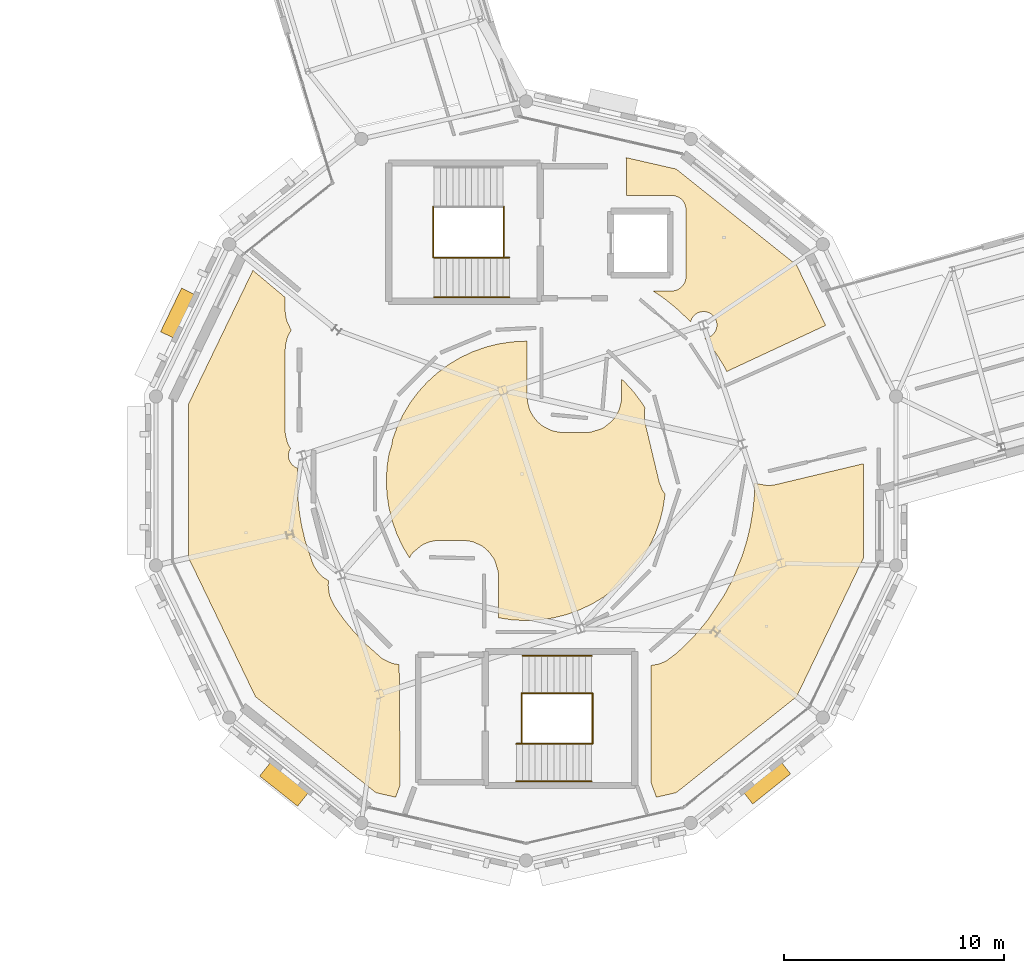
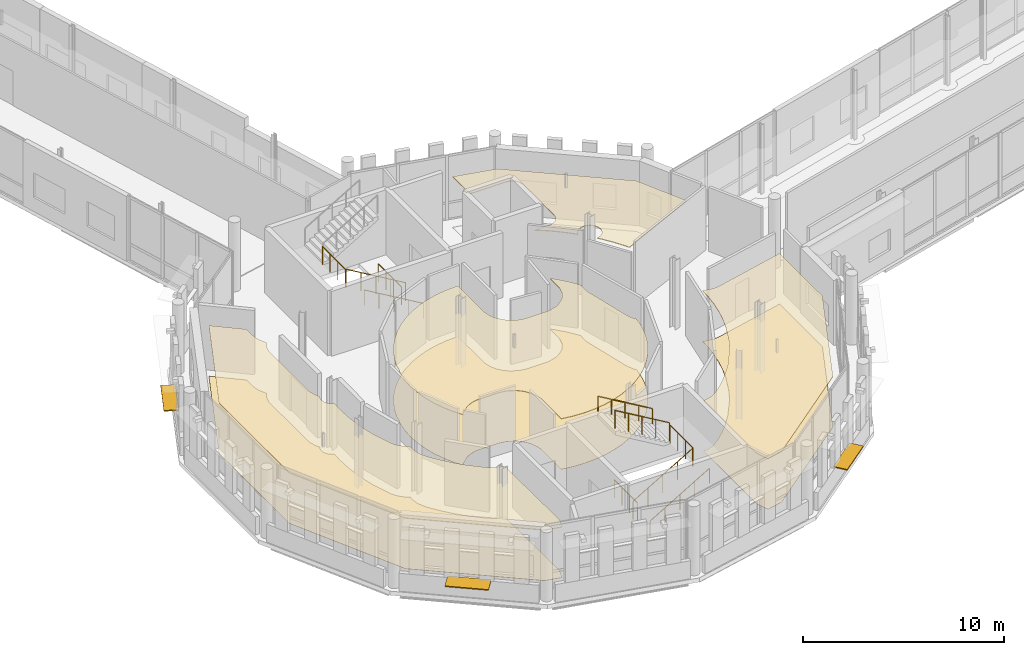
# One storey, part 118 of 125: 10 railings, 7 coverings, 3 shading devices.
"""IFC4 building model written with IfcOpenShell, lengths in metres."""

from ifc_helpers import new_model, si_unit, direction, frame, origin, origin_2d, place, context, subcontext, project, spatial, polyline, rectangle, circle, outline, extrude, material, layer, layer_set, type_object, element, save


model = new_model("IFC4")

# Units and contexts
model_context = context("Model", 3, precision=1e-05, world=origin(), true_north=direction((0.0, 1.0)))
body_context = subcontext(model_context, "Body", "Model", "MODEL_VIEW")
ifc_project = project(units=[si_unit("LENGTHUNIT", "METRE"), si_unit("AREAUNIT", "SQUARE_METRE"), si_unit("VOLUMEUNIT", "CUBIC_METRE"), si_unit("PLANEANGLEUNIT", "RADIAN"), si_unit("MASSUNIT", "GRAM", prefix="KILO")], contexts=[model_context])

# Site, building, storey
site_placement = place(None, origin())
site = spatial("IfcSite", under=ifc_project, at=site_placement, CompositionType="ELEMENT")
building_placement = place(site_placement, origin())
building = spatial("IfcBuilding", under=site, at=building_placement, Name="Wrenclough Park School", CompositionType="ELEMENT")
storey_placement = place(building_placement, frame((0.0, 0.0, 4.199951171875)))
storey = spatial("IfcBuildingStorey", under=building, at=storey_placement, Name="L01", CompositionType="ELEMENT", Elevation=4.199951171875)

# Shading devices
ifc_material_1 = material(Name="Anodised extruded aluminium solar louvre", Category="aluminium")
ifc_layer_1 = layer(ifc_material_1, 0.06005859375)
ifc_layer_set_1 = layer_set([ifc_layer_1], Name="Anodised extruded aluminium solar louvre")
shading_device_type_1 = type_object("IfcShadingDeviceType", Name="ENV-SL-01", PredefinedType="JALOUSIE", material=ifc_layer_set_1)
for number, where, z_axis, x_axis, name in (
    (1, (20.70703125, 31.10498046875, 1.030029296875), (0.0, 0.0, 1.0), (-0.433870232106, -0.900975372412, 0.0), "D2 L01 sun-side aluminium solar louvre 018"),
    (2, (47.428955078125, 9.79541015625, 1.030029296875), (0.0, 0.0, 1.0), (0.781832700782, 0.623488274139, 0.0), "D2 L01 sun-side aluminium solar louvre 020"),
):
    element("IfcShadingDevice", number, at=place(storey_placement, frame(where, z_axis=z_axis, x_axis=x_axis)), inside=storey, type_object=shading_device_type_1, Name=name, PredefinedType="JALOUSIE", context=body_context, shape_type="SweptSolid", body=[
        extrude(rectangle(XDim=2.199951171875, YDim=0.75, at=origin_2d()), origin(), (0.0, 0.0, 1.0), 0.06005859375),
    ])
ifc_layer_2 = layer(ifc_material_1, 0.06005859375)
ifc_layer_set_2 = layer_set([ifc_layer_2], Name="Anodised extruded aluminium solar louvre")
shading_device_type_2 = type_object("IfcShadingDeviceType", Name="ENV-SL-02", PredefinedType="JALOUSIE", material=ifc_layer_set_2)
shading_device_placement = place(storey_placement, frame((25.5302734375, 9.744873046875, 1.030029296875), z_axis=(0.0, 0.0, 1.0), x_axis=(0.781827272043, -0.623495081528, 0.0)))
element("IfcShadingDevice", 3, at=shading_device_placement, inside=storey, type_object=shading_device_type_2, Name="D2 L01 sun-side aluminium solar louvre 019", PredefinedType="JALOUSIE", context=body_context, shape_type="SweptSolid", body=[
    extrude(rectangle(XDim=2.199951171875, YDim=0.8798828125, at=origin_2d()), origin(), (0.0, 0.0, 1.0), 0.06005859375),
])

# Coverings
ifc_material_2 = material(Name="Class A mineral-fibre acoustic ceiling raft", Category="gypsum")
ifc_layer_3 = layer(ifc_material_2, 0.044921875)
ifc_layer_set_3 = layer_set([ifc_layer_3], Name="Class A mineral-fibre acoustic ceiling raft")
covering_type_1 = type_object("IfcCoveringType", Name="INT-COV-CEIL", PredefinedType="CEILING", material=ifc_layer_set_3)
covering_1_placement = place(storey_placement, frame((0.0, 0.0, 3.054931640625)))
element("IfcCovering", 4, at=covering_1_placement, inside=storey, type_object=covering_type_1, Name="Music Studio 2 acoustic ceiling raft", PredefinedType="CEILING", context=body_context, shape_type="SweptSolid", body=[
    extrude(outline(polyline([(25.550048828125, 31.839599609375), (24.087890625, 33.066650390625), (21.166259765625, 27.0), (21.166259765625, 20.000244140625), (24.203369140625, 13.693603515625), (29.67578125, 9.329345703125), (30.575927734375, 9.1240234375), (30.782470703125, 9.69189453125), (30.735595703125, 15.14892578125), (30.501220703125, 15.188720703125), (30.393310546875, 15.217041015625), (30.021484375, 15.38818359375), (29.91748046875, 15.46337890625), (29.155517578125, 16.1396484375), (28.648193359375, 16.681884765625), (28.2421875, 17.18017578125), (27.846435546875, 17.73388671875), (27.7939453125, 17.8212890625), (27.61572265625, 18.179931640625), (27.56640625, 18.314697265625), (27.51513671875, 18.677978515625), (27.509765625, 18.757080078125), (27.527099609375, 18.96435546875), (27.29443359375, 19.110107421875), (27.2119140625, 19.1826171875), (27.0625, 19.337890625), (26.978759765625, 19.44580078125), (26.8369140625, 19.6826171875), (26.80908203125, 19.752685546875), (26.459716796875, 20.797119140625), (26.299560546875, 21.479248046875), (26.189208984375, 22.150634765625), (26.122802734375, 22.827880859375), (26.101318359375, 23.508056640625), (26.1201171875, 24.078125), (26.022216796875, 24.119384765625), (25.97119140625, 24.14990234375), (25.87939453125, 24.225341796875), (25.803955078125, 24.317138671875), (25.747802734375, 24.422119140625), (25.71337890625, 24.53564453125), (25.70166015625, 24.654052734375), (25.70458984375, 24.71337890625), (25.727783203125, 24.830078125), (25.747802734375, 24.885986328125), (25.79541015625, 24.976806640625), (25.710205078125, 25.124755859375), (25.659912109375, 25.234130859375), (25.57470703125, 25.564453125), (25.560302734375, 25.642578125), (25.555419921875, 25.721923828125), (25.55810546875, 29.60400390625), (25.576416015625, 29.7119140625), (25.66748046875, 30.052490234375), (25.720703125, 30.164794921875), (25.8330078125, 30.351806640625), (25.78564453125, 30.4326171875), (25.659423828125, 30.6943359375), (25.615478515625, 30.814208984375), (25.6025390625, 30.876708984375), (25.552001953125, 31.21337890625), (25.550048828125, 31.839599609375)])), origin(), (0.0, 0.0, 1.0), 0.045166015625),
])
covering_2_placement = place(storey_placement, frame((0.0, 0.0, 3.054931640625)))
element("IfcCovering", 5, at=covering_2_placement, inside=storey, type_object=covering_type_1, Name="Media Production Classroom acoustic ceiling raft", PredefinedType="CEILING", context=body_context, shape_type="SweptSolid", body=[
    extrude(outline(polyline([(42.169921875, 15.11376953125), (42.169921875, 9.822265625), (42.424072265625, 9.1240234375), (43.32421875, 9.329345703125), (48.796630859375, 13.693603515625), (51.833740234375, 20.0), (51.833740234375, 24.2802734375), (47.803955078125, 23.320556640625), (47.600341796875, 23.294189453125), (47.469482421875, 23.29052734375), (47.016845703125, 23.36669921875), (46.889404296875, 23.403564453125), (46.877197265625, 22.827880859375), (46.810791015625, 22.150634765625), (46.700439453125, 21.479248046875), (46.5458984375, 20.814453125), (46.32177734375, 20.0869140625), (45.8564453125, 18.9638671875), (45.499755859375, 18.290771484375), (44.75341796875, 17.17431640625), (44.281494140625, 16.60205078125), (43.817138671875, 16.111328125), (43.350341796875, 15.676513671875), (42.86767578125, 15.315673828125), (42.763671875, 15.263916015625), (42.511474609375, 15.16943359375), (42.169921875, 15.11376953125)])), origin(), (0.0, 0.0, 1.0), 0.045166015625),
])
covering_3_placement = place(storey_placement, frame((0.0, 0.0, 3.054931640625)))
element("IfcCovering", 6, at=covering_3_placement, inside=storey, type_object=covering_type_1, Name="Performing Arts Staff Office acoustic ceiling raft", PredefinedType="CEILING", context=body_context, shape_type="SweptSolid", body=[
    extrude(outline(polyline([(43.1201171875, 32.1298828125), (42.274169921875, 32.1298828125), (42.819580078125, 31.758056640625), (43.314208984375, 31.35498046875), (43.81689453125, 30.888916015625), (43.977783203125, 30.72021484375), (44.0087890625, 30.820068359375), (44.0341796875, 30.873779296875), (44.100341796875, 30.97265625), (44.140380859375, 31.0166015625), (44.184326171875, 31.056640625), (44.283203125, 31.122802734375), (44.3369140625, 31.148193359375), (44.45068359375, 31.1826171875), (44.569091796875, 31.1943359375), (44.62841796875, 31.19140625), (44.687255859375, 31.1826171875), (44.801025390625, 31.148193359375), (44.90576171875, 31.092041015625), (44.95361328125, 31.056640625), (45.03759765625, 30.97265625), (45.072998046875, 30.9248046875), (45.129150390625, 30.820068359375), (45.163818359375, 30.706298828125), (45.17236328125, 30.6474609375), (45.17236328125, 30.528564453125), (45.163818359375, 30.4697265625), (45.129150390625, 30.35595703125), (45.103759765625, 30.30224609375), (45.03759765625, 30.203369140625), (44.997802734375, 30.1591796875), (44.90576171875, 30.083984375), (44.854736328125, 30.05322265625), (44.7451171875, 30.0078125), (44.623291015625, 29.984375), (44.780517578125, 29.790283203125), (45.17431640625, 29.235107421875), (45.509765625, 28.6923828125), (45.6259765625, 28.472900390625), (50.1162109375, 30.56640625), (48.796630859375, 33.306396484375), (43.32421875, 37.670654296875), (41.046630859375, 38.1904296875), (41.06689453125, 38.083740234375), (41.070068359375, 38.02001953125), (41.070068359375, 36.469970703125), (43.1201171875, 36.469970703125), (43.246826171875, 36.45751953125), (43.30859375, 36.44189453125), (43.426513671875, 36.393310546875), (43.532470703125, 36.322509765625), (43.57958984375, 36.279541015625), (43.62255859375, 36.232421875), (43.693115234375, 36.12646484375), (43.741943359375, 36.0087890625), (43.766845703125, 35.8837890625), (43.77001953125, 35.820068359375), (43.77001953125, 32.780029296875), (43.757568359375, 32.6533203125), (43.720458984375, 32.53125), (43.693115234375, 32.4736328125), (43.62255859375, 32.36767578125), (43.532470703125, 32.277587890625), (43.426513671875, 32.206787109375), (43.36865234375, 32.179443359375), (43.246826171875, 32.142578125), (43.1201171875, 32.1298828125)])), origin(), (0.0, 0.0, 1.0), 0.045166015625),
])
covering_4_placement = place(storey_placement, frame((0.0, 0.0, 3.054931640625)))
element("IfcCovering", 7, at=covering_4_placement, inside=storey, type_object=covering_type_1, Name="Acoustic Recording Classroom acoustic ceiling raft", PredefinedType="CEILING", context=body_context, shape_type="SweptSolid", body=[
    extrude(outline(polyline([(30.900390625, 20.507080078125), (31.202880859375, 20.002197265625), (31.291015625, 20.15771484375), (31.37060546875, 20.254150390625), (31.755859375, 20.570068359375), (31.868408203125, 20.630126953125), (32.123291015625, 20.73193359375), (32.437744140625, 20.792724609375), (33.614990234375, 20.7998046875), (33.71728515625, 20.7919921875), (34.00439453125, 20.747314453125), (34.1279296875, 20.71533203125), (34.448486328125, 20.564208984375), (34.517822265625, 20.525390625), (34.58203125, 20.478271484375), (34.78759765625, 20.30126953125), (34.837158203125, 20.241943359375), (35.04150390625, 19.95947265625), (35.07470703125, 19.89453125), (35.10009765625, 19.826416015625), (35.231201171875, 19.394287109375), (35.244384765625, 19.264892578125), (35.24609375, 17.276611328125), (35.877685546875, 17.181396484375), (36.5, 17.15087890625), (37.122314453125, 17.181396484375), (37.738525390625, 17.272705078125), (38.343017578125, 17.42431640625), (38.9296875, 17.634033203125), (39.492919921875, 17.900390625), (40.027587890625, 18.220703125), (40.52783203125, 18.591796875), (40.989501953125, 19.010498046875), (41.408203125, 19.47216796875), (41.779296875, 19.972412109375), (42.099609375, 20.507080078125), (42.365966796875, 21.0703125), (42.57568359375, 21.656982421875), (42.727294921875, 22.261474609375), (42.820068359375, 22.90771484375), (42.732421875, 23.019287109375), (42.698486328125, 23.07666015625), (42.551025390625, 23.440185546875), (41.896240234375, 26.198486328125), (41.88330078125, 26.27099609375), (41.87890625, 26.3447265625), (41.87744140625, 26.6240234375), (41.888916015625, 26.748779296875), (41.905517578125, 26.816650390625), (41.779296875, 27.027587890625), (41.408203125, 27.52783203125), (40.989501953125, 27.989501953125), (40.847412109375, 28.118408203125), (40.845703125, 27.2490234375), (40.8408203125, 27.170166015625), (40.826416015625, 27.09228515625), (40.733154296875, 26.73388671875), (40.6767578125, 26.615966796875), (40.483154296875, 26.306884765625), (40.43408203125, 26.2509765625), (40.379150390625, 26.200927734375), (40.07861328125, 25.9580078125), (40.027099609375, 25.92041015625), (39.914306640625, 25.861328125), (39.48388671875, 25.730712890625), (39.36181640625, 25.707275390625), (38.100341796875, 25.7041015625), (37.973388671875, 25.716796875), (37.717041015625, 25.77001953125), (37.61767578125, 25.807373046875), (37.29833984375, 25.9638671875), (37.23388671875, 26.010498046875), (37.023681640625, 26.1875), (36.81982421875, 26.439208984375), (36.697265625, 26.665771484375), (36.665283203125, 26.736328125), (36.64208984375, 26.810302734375), (36.5751953125, 27.077880859375), (36.560791015625, 27.155517578125), (36.5556640625, 27.234619140625), (36.551025390625, 29.846435546875), (36.499267578125, 29.84912109375), (35.877685546875, 29.818603515625), (35.261474609375, 29.727294921875), (34.656982421875, 29.57568359375), (34.0703125, 29.365966796875), (33.507080078125, 29.099609375), (32.972412109375, 28.779296875), (32.47216796875, 28.408203125), (32.010498046875, 27.989501953125), (31.591796875, 27.52783203125), (31.220703125, 27.027587890625), (30.900390625, 26.492919921875), (30.634033203125, 25.9296875), (30.435546875, 25.374755859375), (30.3955078125, 25.11376953125), (30.26953125, 24.716796875), (30.181396484375, 24.122314453125), (30.15087890625, 23.5), (30.181396484375, 22.877685546875), (30.272705078125, 22.261474609375), (30.42431640625, 21.656982421875), (30.634033203125, 21.0703125), (30.900390625, 20.507080078125)])), origin(), (0.0, 0.0, 1.0), 0.045166015625),
])
ifc_material_3 = material(Name="Acoustic natural linoleum school flooring", Category="wood")
ifc_layer_4 = layer(ifc_material_3, 0.014892578125)
ifc_layer_set_4 = layer_set([ifc_layer_4], Name="Acoustic natural linoleum school flooring")
covering_type_2 = type_object("IfcCoveringType", Name="INT-COV-FLOOR1", PredefinedType="FLOORING", material=ifc_layer_set_4)
covering_5_placement = place(storey_placement, origin())
element("IfcCovering", 8, at=covering_5_placement, inside=storey, type_object=covering_type_2, Name="Music Studio 2 floor finish", PredefinedType="FLOORING", context=body_context, shape_type="SweptSolid", body=[
    extrude(outline(polyline([(25.550048828125, 31.839599609375), (24.087890625, 33.066650390625), (21.166259765625, 27.0), (21.166259765625, 20.000244140625), (24.203369140625, 13.693603515625), (29.67578125, 9.329345703125), (30.575927734375, 9.1240234375), (30.782470703125, 9.69189453125), (30.735595703125, 15.14892578125), (30.501220703125, 15.188720703125), (30.393310546875, 15.217041015625), (30.021484375, 15.38818359375), (29.91748046875, 15.46337890625), (29.155517578125, 16.1396484375), (28.648193359375, 16.681884765625), (28.2421875, 17.18017578125), (27.846435546875, 17.73388671875), (27.7939453125, 17.8212890625), (27.61572265625, 18.179931640625), (27.56640625, 18.314697265625), (27.51513671875, 18.677978515625), (27.509765625, 18.757080078125), (27.527099609375, 18.96435546875), (27.29443359375, 19.110107421875), (27.2119140625, 19.1826171875), (27.0625, 19.337890625), (26.978759765625, 19.44580078125), (26.8369140625, 19.6826171875), (26.80908203125, 19.752685546875), (26.459716796875, 20.797119140625), (26.299560546875, 21.479248046875), (26.189208984375, 22.150634765625), (26.122802734375, 22.827880859375), (26.101318359375, 23.508056640625), (26.1201171875, 24.078125), (26.022216796875, 24.119384765625), (25.97119140625, 24.14990234375), (25.87939453125, 24.225341796875), (25.803955078125, 24.317138671875), (25.747802734375, 24.422119140625), (25.71337890625, 24.53564453125), (25.70166015625, 24.654052734375), (25.70458984375, 24.71337890625), (25.727783203125, 24.830078125), (25.747802734375, 24.885986328125), (25.79541015625, 24.976806640625), (25.710205078125, 25.124755859375), (25.659912109375, 25.234130859375), (25.57470703125, 25.564453125), (25.560302734375, 25.642578125), (25.555419921875, 25.721923828125), (25.55810546875, 29.60400390625), (25.576416015625, 29.7119140625), (25.66748046875, 30.052490234375), (25.720703125, 30.164794921875), (25.8330078125, 30.351806640625), (25.78564453125, 30.4326171875), (25.659423828125, 30.6943359375), (25.615478515625, 30.814208984375), (25.6025390625, 30.876708984375), (25.552001953125, 31.21337890625), (25.550048828125, 31.839599609375)])), origin(), (0.0, 0.0, 1.0), 0.01513671875),
])
covering_6_placement = place(storey_placement, origin())
element("IfcCovering", 9, at=covering_6_placement, inside=storey, type_object=covering_type_2, Name="Media Production Classroom floor finish", PredefinedType="FLOORING", context=body_context, shape_type="SweptSolid", body=[
    extrude(outline(polyline([(42.169921875, 15.11376953125), (42.169921875, 9.822265625), (42.424072265625, 9.1240234375), (43.32421875, 9.329345703125), (48.796630859375, 13.693603515625), (51.833740234375, 20.0), (51.833740234375, 24.2802734375), (47.803955078125, 23.320556640625), (47.600341796875, 23.294189453125), (47.469482421875, 23.29052734375), (47.016845703125, 23.36669921875), (46.889404296875, 23.403564453125), (46.877197265625, 22.827880859375), (46.810791015625, 22.150634765625), (46.700439453125, 21.479248046875), (46.5458984375, 20.814453125), (46.32177734375, 20.0869140625), (45.8564453125, 18.9638671875), (45.499755859375, 18.290771484375), (44.75341796875, 17.17431640625), (44.281494140625, 16.60205078125), (43.817138671875, 16.111328125), (43.350341796875, 15.676513671875), (42.86767578125, 15.315673828125), (42.763671875, 15.263916015625), (42.511474609375, 15.16943359375), (42.169921875, 15.11376953125)])), origin(), (0.0, 0.0, 1.0), 0.01513671875),
])
covering_7_placement = place(storey_placement, origin())
element("IfcCovering", 10, at=covering_7_placement, inside=storey, type_object=covering_type_2, Name="Acoustic Recording Classroom floor finish", PredefinedType="FLOORING", context=body_context, shape_type="SweptSolid", body=[
    extrude(outline(polyline([(30.900390625, 20.507080078125), (31.202880859375, 20.002197265625), (31.291015625, 20.15771484375), (31.37060546875, 20.254150390625), (31.755859375, 20.570068359375), (31.868408203125, 20.630126953125), (32.123291015625, 20.73193359375), (32.437744140625, 20.792724609375), (33.614990234375, 20.7998046875), (33.71728515625, 20.7919921875), (34.00439453125, 20.747314453125), (34.1279296875, 20.71533203125), (34.448486328125, 20.564208984375), (34.517822265625, 20.525390625), (34.58203125, 20.478271484375), (34.78759765625, 20.30126953125), (34.837158203125, 20.241943359375), (35.04150390625, 19.95947265625), (35.07470703125, 19.89453125), (35.10009765625, 19.826416015625), (35.231201171875, 19.394287109375), (35.244384765625, 19.264892578125), (35.24609375, 17.276611328125), (35.877685546875, 17.181396484375), (36.5, 17.15087890625), (37.122314453125, 17.181396484375), (37.738525390625, 17.272705078125), (38.343017578125, 17.42431640625), (38.9296875, 17.634033203125), (39.492919921875, 17.900390625), (40.027587890625, 18.220703125), (40.52783203125, 18.591796875), (40.989501953125, 19.010498046875), (41.408203125, 19.47216796875), (41.779296875, 19.972412109375), (42.099609375, 20.507080078125), (42.365966796875, 21.0703125), (42.57568359375, 21.656982421875), (42.727294921875, 22.261474609375), (42.820068359375, 22.90771484375), (42.732421875, 23.019287109375), (42.698486328125, 23.07666015625), (42.551025390625, 23.440185546875), (41.896240234375, 26.198486328125), (41.88330078125, 26.27099609375), (41.87890625, 26.3447265625), (41.87744140625, 26.6240234375), (41.888916015625, 26.748779296875), (41.905517578125, 26.816650390625), (41.779296875, 27.027587890625), (41.408203125, 27.52783203125), (40.989501953125, 27.989501953125), (40.847412109375, 28.118408203125), (40.845703125, 27.2490234375), (40.8408203125, 27.170166015625), (40.826416015625, 27.09228515625), (40.733154296875, 26.73388671875), (40.6767578125, 26.615966796875), (40.483154296875, 26.306884765625), (40.43408203125, 26.2509765625), (40.379150390625, 26.200927734375), (40.07861328125, 25.9580078125), (40.027099609375, 25.92041015625), (39.914306640625, 25.861328125), (39.48388671875, 25.730712890625), (39.36181640625, 25.707275390625), (38.100341796875, 25.7041015625), (37.973388671875, 25.716796875), (37.717041015625, 25.77001953125), (37.61767578125, 25.807373046875), (37.29833984375, 25.9638671875), (37.23388671875, 26.010498046875), (37.023681640625, 26.1875), (36.81982421875, 26.439208984375), (36.697265625, 26.665771484375), (36.665283203125, 26.736328125), (36.64208984375, 26.810302734375), (36.5751953125, 27.077880859375), (36.560791015625, 27.155517578125), (36.5556640625, 27.234619140625), (36.551025390625, 29.846435546875), (36.499267578125, 29.84912109375), (35.877685546875, 29.818603515625), (35.261474609375, 29.727294921875), (34.656982421875, 29.57568359375), (34.0703125, 29.365966796875), (33.507080078125, 29.099609375), (32.972412109375, 28.779296875), (32.47216796875, 28.408203125), (32.010498046875, 27.989501953125), (31.591796875, 27.52783203125), (31.220703125, 27.027587890625), (30.900390625, 26.492919921875), (30.634033203125, 25.9296875), (30.435546875, 25.374755859375), (30.3955078125, 25.11376953125), (30.26953125, 24.716796875), (30.181396484375, 24.122314453125), (30.15087890625, 23.5), (30.181396484375, 22.877685546875), (30.272705078125, 22.261474609375), (30.42431640625, 21.656982421875), (30.634033203125, 21.0703125), (30.900390625, 20.507080078125)])), origin(), (0.0, 0.0, 1.0), 0.01513671875),
])

# Railings
ifc_material_4 = material(Name="Powder-coated steel vertical-baluster stair and atrium guard", Category="steel")
railing_type_1 = type_object("IfcRailingType", Name="INT-RL-GD1120", PredefinedType="GUARDRAIL", material=ifc_material_4)
railing_1_placement = place(storey_placement, frame((35.4951171875, 33.64990234375, 0.0)))
element("IfcRailing", 11, at=railing_1_placement, inside=storey, type_object=railing_type_1, Name="ST-02 L01 well guard 1", PredefinedType="GUARDRAIL", context=body_context, shape_type="SweptSolid", body=[
    extrude(circle(Radius=0.02392578125, at=origin_2d()), frame((0.0, 0.0, 1.09619140625), z_axis=(0.0, 1.0, 0.0), x_axis=(-1.0, 0.0, 0.0)), (0.0, 0.0, 1.0), 2.300048828125),
    extrude(circle(Radius=0.02099609375, at=origin_2d()), origin(), (0.0, 0.0, 1.0), 1.072021484375),
    extrude(circle(Radius=0.02099609375, at=origin_2d()), frame((0.0, 0.7666015625, 0.0)), (0.0, 0.0, 1.0), 1.072021484375),
    extrude(circle(Radius=0.02099609375, at=origin_2d()), frame((0.0, 1.533447265625, 0.0)), (0.0, 0.0, 1.0), 1.072021484375),
    extrude(circle(Radius=0.02099609375, at=origin_2d()), frame((0.0, 2.300048828125, 0.0)), (0.0, 0.0, 1.0), 1.072021484375),
])
railing_2_placement = place(storey_placement, frame((35.739990234375, 33.64990234375, 0.16796875)))
element("IfcRailing", 12, at=railing_2_placement, inside=storey, type_object=railing_type_1, Name="ST-02 L01 well guard 2", PredefinedType="GUARDRAIL", context=body_context, shape_type="SweptSolid", body=[
    extrude(circle(Radius=0.02392578125, at=origin_2d()), frame((0.0, 0.0, 1.09619140625), z_axis=(-0.861450067461, 0.0, 0.507842279918), x_axis=(0.0, -1.0, 0.0)), (0.0, 0.0, 1.0), 3.969970703125),
    extrude(circle(Radius=0.02099609375, at=origin_2d()), origin(), (0.0, 0.0, 1.0), 1.072021484375),
    extrude(circle(Radius=0.02099609375, at=origin_2d()), frame((-0.85498046875, 0.0, 0.50390625)), (0.0, 0.0, 1.0), 1.072021484375),
    extrude(circle(Radius=0.02099609375, at=origin_2d()), frame((-1.7099609375, 0.0, 1.008056640625)), (0.0, 0.0, 1.0), 1.072021484375),
    extrude(circle(Radius=0.02099609375, at=origin_2d()), frame((-2.56494140625, 0.0, 1.51220703125)), (0.0, 0.0, 1.0), 1.072021484375),
    extrude(circle(Radius=0.02099609375, at=origin_2d()), frame((-3.419921875, 0.0, 2.01611328125)), (0.0, 0.0, 1.0), 1.072021484375),
])
for number, where, name in (
    (13, (32.280029296875, 33.64990234375, 2.18408203125), "ST-02 L01 well guard 3"),
    (14, (36.304931640625, 11.550048828125, 0.0), "ST-13 L01 well guard 1"),
):
    element("IfcRailing", number, at=place(storey_placement, frame(where)), inside=storey, type_object=railing_type_1, Name=name, PredefinedType="GUARDRAIL", context=body_context, shape_type="SweptSolid", body=[
        extrude(circle(Radius=0.02392578125, at=origin_2d()), frame((0.0, 0.0, 1.09619140625), z_axis=(0.0, 1.0, 0.0), x_axis=(-1.0, 0.0, 0.0)), (0.0, 0.0, 1.0), 2.300048828125),
        extrude(circle(Radius=0.02099609375, at=origin_2d()), origin(), (0.0, 0.0, 1.0), 1.072021484375),
        extrude(circle(Radius=0.02099609375, at=origin_2d()), frame((0.0, 0.7666015625, 0.0)), (0.0, 0.0, 1.0), 1.072021484375),
        extrude(circle(Radius=0.02099609375, at=origin_2d()), frame((0.0, 1.533447265625, 0.0)), (0.0, 0.0, 1.0), 1.072021484375),
        extrude(circle(Radius=0.02099609375, at=origin_2d()), frame((0.0, 2.300048828125, 0.0)), (0.0, 0.0, 1.0), 1.072021484375),
    ])
railing_3_placement = place(storey_placement, frame((36.06005859375, 11.550048828125, 0.16796875)))
element("IfcRailing", 15, at=railing_3_placement, inside=storey, type_object=railing_type_1, Name="ST-13 L01 well guard 2", PredefinedType="GUARDRAIL", context=body_context, shape_type="SweptSolid", body=[
    extrude(circle(Radius=0.02392578125, at=origin_2d()), frame((0.0, 0.0, 1.09619140625), z_axis=(0.861450067461, 0.0, 0.507842279918), x_axis=(0.0, 1.0, 0.0)), (0.0, 0.0, 1.0), 3.969970703125),
    extrude(circle(Radius=0.02099609375, at=origin_2d()), origin(), (0.0, 0.0, 1.0), 1.072021484375),
    extrude(circle(Radius=0.02099609375, at=origin_2d()), frame((0.85498046875, 0.0, 0.50390625)), (0.0, 0.0, 1.0), 1.072021484375),
    extrude(circle(Radius=0.02099609375, at=origin_2d()), frame((1.7099609375, 0.0, 1.008056640625)), (0.0, 0.0, 1.0), 1.072021484375),
    extrude(circle(Radius=0.02099609375, at=origin_2d()), frame((2.56494140625, 0.0, 1.51220703125)), (0.0, 0.0, 1.0), 1.072021484375),
    extrude(circle(Radius=0.02099609375, at=origin_2d()), frame((3.419921875, 0.0, 2.01611328125)), (0.0, 0.0, 1.0), 1.072021484375),
])
railing_4_placement = place(storey_placement, frame((39.52001953125, 11.550048828125, 2.18408203125)))
element("IfcRailing", 16, at=railing_4_placement, inside=storey, type_object=railing_type_1, Name="ST-13 L01 well guard 3", PredefinedType="GUARDRAIL", context=body_context, shape_type="SweptSolid", body=[
    extrude(circle(Radius=0.02392578125, at=origin_2d()), frame((0.0, 0.0, 1.09619140625), z_axis=(0.0, 1.0, 0.0), x_axis=(-1.0, 0.0, 0.0)), (0.0, 0.0, 1.0), 2.300048828125),
    extrude(circle(Radius=0.02099609375, at=origin_2d()), origin(), (0.0, 0.0, 1.0), 1.072021484375),
    extrude(circle(Radius=0.02099609375, at=origin_2d()), frame((0.0, 0.7666015625, 0.0)), (0.0, 0.0, 1.0), 1.072021484375),
    extrude(circle(Radius=0.02099609375, at=origin_2d()), frame((0.0, 1.533447265625, 0.0)), (0.0, 0.0, 1.0), 1.072021484375),
    extrude(circle(Radius=0.02099609375, at=origin_2d()), frame((0.0, 2.300048828125, 0.0)), (0.0, 0.0, 1.0), 1.072021484375),
])
railing_5_placement = place(storey_placement, frame((39.47998046875, 13.85009765625, 2.35205078125)))
element("IfcRailing", 17, at=railing_5_placement, inside=storey, type_object=railing_type_1, Name="ST-13 L01 well guard 4", PredefinedType="GUARDRAIL", context=body_context, shape_type="SweptSolid", body=[
    extrude(circle(Radius=0.02392578125, at=origin_2d()), frame((0.0, 0.0, 1.09619140625), z_axis=(-0.861480291558, 0.0, 0.50779100746), x_axis=(0.0, -1.0, 0.0)), (0.0, 0.0, 1.0), 3.63916015625),
    extrude(circle(Radius=0.02099609375, at=origin_2d()), origin(), (0.0, 0.0, 1.0), 1.072021484375),
    extrude(circle(Radius=0.02099609375, at=origin_2d()), frame((-0.78369140625, 0.0, 0.4619140625)), (0.0, 0.0, 1.0), 1.072021484375),
    extrude(circle(Radius=0.02099609375, at=origin_2d()), frame((-1.5673828125, 0.0, 0.923828125)), (0.0, 0.0, 1.0), 1.072021484375),
    extrude(circle(Radius=0.02099609375, at=origin_2d()), frame((-2.351318359375, 0.0, 1.385986328125)), (0.0, 0.0, 1.0), 1.072021484375),
    extrude(circle(Radius=0.02099609375, at=origin_2d()), frame((-3.135009765625, 0.0, 1.847900390625)), (0.0, 0.0, 1.0), 1.072021484375),
])
ifc_material_5 = material(Name="Brushed stainless steel tubular handrail", Category="steel")
railing_type_2 = type_object("IfcRailingType", Name="INT-RL-HR950", PredefinedType="HANDRAIL", material=ifc_material_5)
railing_6_placement = place(storey_placement, frame((35.739990234375, 31.85009765625, 0.16796875)))
element("IfcRailing", 18, at=railing_6_placement, inside=storey, type_object=railing_type_2, Name="ST-02 L01 pitch handrail 1", PredefinedType="HANDRAIL", context=body_context, shape_type="SweptSolid", body=[
    extrude(circle(Radius=0.02392578125, at=origin_2d()), frame((0.0, 0.0, 0.92578125), z_axis=(-0.861450067461, 0.0, 0.507842279918), x_axis=(0.0, -1.0, 0.0)), (0.0, 0.0, 1.0), 3.969970703125),
    extrude(circle(Radius=0.02099609375, at=origin_2d()), origin(), (0.0, 0.0, 1.0), 0.90185546875),
    extrude(circle(Radius=0.02099609375, at=origin_2d()), frame((-0.85498046875, 0.0, 0.50390625)), (0.0, 0.0, 1.0), 0.90185546875),
    extrude(circle(Radius=0.02099609375, at=origin_2d()), frame((-1.7099609375, 0.0, 1.008056640625)), (0.0, 0.0, 1.0), 0.90185546875),
    extrude(circle(Radius=0.02099609375, at=origin_2d()), frame((-2.56494140625, 0.0, 1.51220703125)), (0.0, 0.0, 1.0), 0.90185546875),
    extrude(circle(Radius=0.02099609375, at=origin_2d()), frame((-3.419921875, 0.0, 2.01611328125)), (0.0, 0.0, 1.0), 0.90185546875),
])
railing_7_placement = place(storey_placement, frame((36.06005859375, 9.85009765625, 0.16796875)))
element("IfcRailing", 19, at=railing_7_placement, inside=storey, type_object=railing_type_2, Name="ST-13 L01 pitch handrail 1", PredefinedType="HANDRAIL", context=body_context, shape_type="SweptSolid", body=[
    extrude(circle(Radius=0.02392578125, at=origin_2d()), frame((0.0, 0.0, 0.92578125), z_axis=(0.861450067461, 0.0, 0.507842279918), x_axis=(0.0, 1.0, 0.0)), (0.0, 0.0, 1.0), 3.969970703125),
    extrude(circle(Radius=0.02099609375, at=origin_2d()), origin(), (0.0, 0.0, 1.0), 0.90185546875),
    extrude(circle(Radius=0.02099609375, at=origin_2d()), frame((0.85498046875, 0.0, 0.50390625)), (0.0, 0.0, 1.0), 0.90185546875),
    extrude(circle(Radius=0.02099609375, at=origin_2d()), frame((1.7099609375, 0.0, 1.008056640625)), (0.0, 0.0, 1.0), 0.90185546875),
    extrude(circle(Radius=0.02099609375, at=origin_2d()), frame((2.56494140625, 0.0, 1.51220703125)), (0.0, 0.0, 1.0), 0.90185546875),
    extrude(circle(Radius=0.02099609375, at=origin_2d()), frame((3.419921875, 0.0, 2.01611328125)), (0.0, 0.0, 1.0), 0.90185546875),
])
railing_8_placement = place(storey_placement, frame((39.47998046875, 15.550048828125, 2.35205078125)))
element("IfcRailing", 20, at=railing_8_placement, inside=storey, type_object=railing_type_2, Name="ST-13 L01 pitch handrail 2", PredefinedType="HANDRAIL", context=body_context, shape_type="SweptSolid", body=[
    extrude(circle(Radius=0.02392578125, at=origin_2d()), frame((0.0, 0.0, 0.92578125), z_axis=(-0.861480291558, 0.0, 0.50779100746), x_axis=(0.0, -1.0, 0.0)), (0.0, 0.0, 1.0), 3.63916015625),
    extrude(circle(Radius=0.02099609375, at=origin_2d()), origin(), (0.0, 0.0, 1.0), 0.90185546875),
    extrude(circle(Radius=0.02099609375, at=origin_2d()), frame((-0.78369140625, 0.0, 0.4619140625)), (0.0, 0.0, 1.0), 0.90185546875),
    extrude(circle(Radius=0.02099609375, at=origin_2d()), frame((-1.5673828125, 0.0, 0.923828125)), (0.0, 0.0, 1.0), 0.90185546875),
    extrude(circle(Radius=0.02099609375, at=origin_2d()), frame((-2.351318359375, 0.0, 1.385986328125)), (0.0, 0.0, 1.0), 0.90185546875),
    extrude(circle(Radius=0.02099609375, at=origin_2d()), frame((-3.135009765625, 0.0, 1.847900390625)), (0.0, 0.0, 1.0), 0.90185546875),
])

save(model, "model.ifc")
